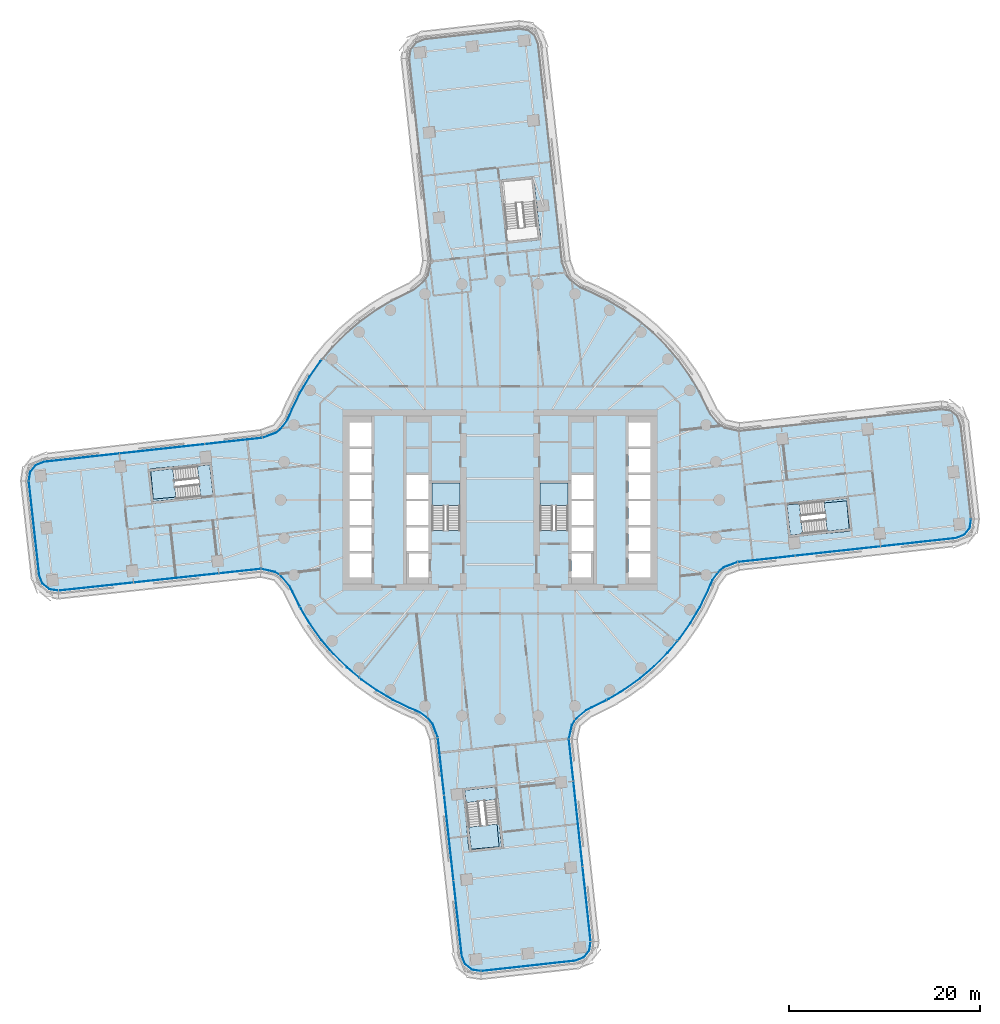
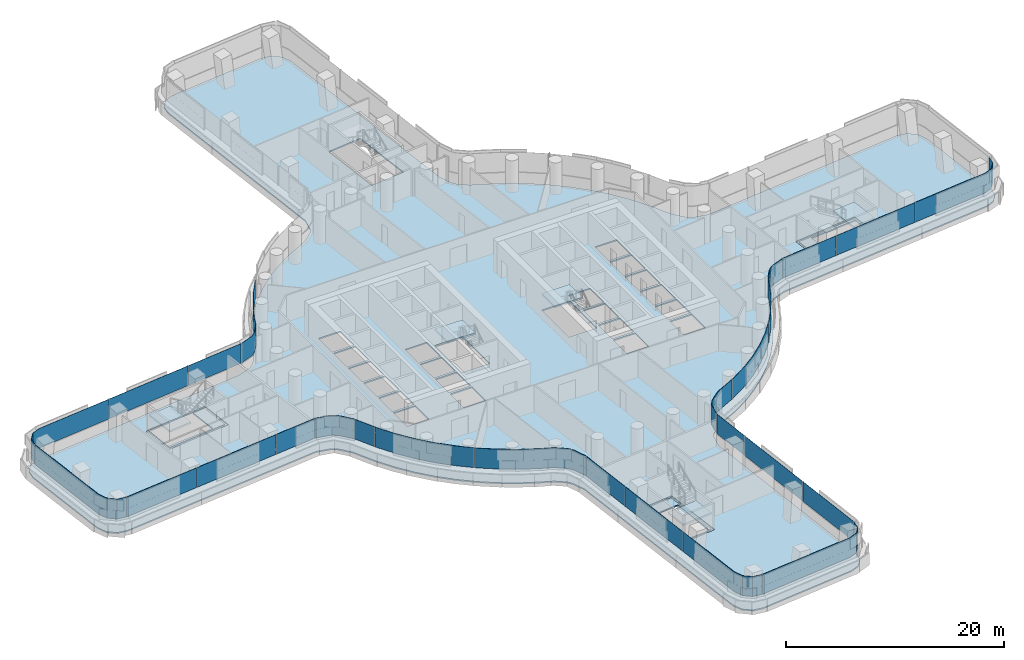
# One storey, part 17 of 31: 24 plates, 9 slabs, 15 elements without a shape of their own.
"""IFC4 building model written with IfcOpenShell, lengths in metres."""

from ifc_helpers import new_model, si_unit, direction, frame, origin, place, context, subcontext, project, spatial, polyline, outline, extrude, material, layer, layer_set, type_object, element, aggregate, save


model = new_model("IFC4")

# Units and contexts
model_context = context("Model", 3, precision=1e-05, world=origin(), true_north=direction((0.0, 1.0)))
body_context = subcontext(model_context, "Body", "Model", "MODEL_VIEW")
ifc_project = project(units=[si_unit("LENGTHUNIT", "METRE"), si_unit("AREAUNIT", "SQUARE_METRE"), si_unit("VOLUMEUNIT", "CUBIC_METRE"), si_unit("PLANEANGLEUNIT", "RADIAN"), si_unit("MASSUNIT", "GRAM", prefix="KILO")], contexts=[model_context])

# Site, building, storey
site_placement = place(None, origin())
site = spatial("IfcSite", under=ifc_project, at=site_placement, CompositionType="ELEMENT")
building_placement = place(site_placement, origin())
building = spatial("IfcBuilding", under=site, at=building_placement, Name="Tamarind Cross Interchange Tower", CompositionType="ELEMENT")
storey_placement = place(building_placement, frame((0.0, 0.0, 56.5)))
storey = spatial("IfcBuildingStorey", under=building, at=storey_placement, Name="L12", CompositionType="ELEMENT", Elevation=56.5)

# Slabs
ifc_material_1 = material(Name="Concrete C35", Category="concrete")
ifc_layer_1 = layer(ifc_material_1, 0.139892578125)
ifc_layer_set_1 = layer_set([ifc_layer_1], Name="Concrete C35")
slab_type_1 = type_object("IfcSlabType", Name="Composite slab 140 Concrete C35", PredefinedType="FLOOR", material=ifc_layer_set_1)
slab_1_placement = place(storey_placement, frame((0.0, 0.0, -0.139892578125)))
element("IfcSlab", 1, at=slab_1_placement, inside=storey, type_object=slab_type_1, Name="Floor slab L12", PredefinedType="FLOOR", context=body_context, shape_type="SweptSolid", body=[
    extrude(outline(polyline([(23.60009765625, -7.22900390625), (24.97900390625, -6.71484375), (47.85302734375, -4.2021484375), (48.81787109375, -3.82666015625), (49.465576171875, -3.01904296875), (49.622802734375, -1.99560546875), (48.53076171875, 7.944580078125), (48.1552734375, 8.9091796875), (47.34765625, 9.556884765625), (46.32421875, 9.714111328125), (25.077880859375, 7.43310546875), (23.67822265625, 7.74267578125), (23.143798828125, 8.066650390625), (22.22119140625, 9.163818359375), (21.93310546875, 9.7333984375), (21.054443359375, 11.511474609375), (20.031982421875, 13.2109375), (18.87255859375, 14.820068359375), (17.584228515625, 16.327880859375), (16.17578125, 17.72412109375), (14.656982421875, 18.99951171875), (13.0380859375, 20.14501953125), (11.329833984375, 21.15283203125), (9.54443359375, 22.01611328125), (8.51220703125, 22.458251953125), (7.550048828125, 23.18115234375), (7.22900390625, 23.60009765625), (6.71484375, 24.97900390625), (4.2021484375, 47.85302734375), (3.82666015625, 48.81787109375), (3.01904296875, 49.465576171875), (1.99560546875, 49.622802734375), (-7.944580078125, 48.53076171875), (-8.9091796875, 48.1552734375), (-9.556884765625, 47.34765625), (-9.714111328125, 46.32421875), (-7.43310546875, 25.077880859375), (-7.74267578125, 23.67822265625), (-8.066650390625, 23.143798828125), (-9.163818359375, 22.22119140625), (-9.7333984375, 21.93310546875), (-11.511474609375, 21.054443359375), (-13.2109375, 20.031982421875), (-14.820068359375, 18.87255859375), (-16.327880859375, 17.584228515625), (-17.72412109375, 16.17578125), (-18.99951171875, 14.656982421875), (-20.14501953125, 13.0380859375), (-21.15283203125, 11.329833984375), (-22.01611328125, 9.54443359375), (-22.458251953125, 8.51220703125), (-23.18115234375, 7.550048828125), (-23.60009765625, 7.22900390625), (-24.97900390625, 6.71484375), (-47.85302734375, 4.2021484375), (-48.81787109375, 3.82666015625), (-49.465576171875, 3.01904296875), (-49.622802734375, 1.99560546875), (-48.53076171875, -7.944580078125), (-48.1552734375, -8.9091796875), (-47.34765625, -9.556884765625), (-46.32421875, -9.714111328125), (-25.077880859375, -7.43310546875), (-23.67822265625, -7.74267578125), (-23.143798828125, -8.066650390625), (-22.22119140625, -9.163818359375), (-21.93310546875, -9.7333984375), (-21.054443359375, -11.511474609375), (-20.031982421875, -13.2109375), (-18.87255859375, -14.820068359375), (-17.584228515625, -16.327880859375), (-16.17578125, -17.72412109375), (-14.656982421875, -18.99951171875), (-13.0380859375, -20.14501953125), (-11.329833984375, -21.15283203125), (-9.54443359375, -22.01611328125), (-8.51220703125, -22.458251953125), (-7.550048828125, -23.18115234375), (-7.22900390625, -23.60009765625), (-6.71484375, -24.97900390625), (-4.2021484375, -47.85302734375), (-3.82666015625, -48.81787109375), (-3.01904296875, -49.465576171875), (-1.99560546875, -49.622802734375), (7.944580078125, -48.53076171875), (8.9091796875, -48.1552734375), (9.556884765625, -47.34765625), (9.714111328125, -46.32421875), (7.43310546875, -25.077880859375), (7.74267578125, -23.67822265625), (8.066650390625, -23.143798828125), (9.163818359375, -22.22119140625), (9.7333984375, -21.93310546875), (11.511474609375, -21.054443359375), (13.2109375, -20.031982421875), (14.820068359375, -18.87255859375), (16.327880859375, -17.584228515625), (17.72412109375, -16.17578125), (18.99951171875, -14.656982421875), (20.14501953125, -13.0380859375), (21.15283203125, -11.329833984375), (22.01611328125, -9.54443359375), (22.458251953125, -8.51220703125), (23.18115234375, -7.550048828125), (23.60009765625, -7.22900390625)]), holes=[polyline([(-13.5, -8.125), (-15.800048828125, -8.125), (-15.800048828125, -5.625), (-13.5, -5.625), (-13.5, -8.125)]), polyline([(-13.5, -5.375), (-15.800048828125, -5.375), (-15.800048828125, -2.875), (-13.5, -2.875), (-13.5, -5.375)]), polyline([(-7.5, -5.375), (-9.800048828125, -5.375), (-9.800048828125, -2.875), (-7.5, -2.875), (-7.5, -5.375)]), polyline([(-15.800048828125, -2.625), (-15.800048828125, -0.125), (-13.5, -0.125), (-13.5, -2.625), (-15.800048828125, -2.625)]), polyline([(-9.800048828125, -2.625), (-9.800048828125, -0.125), (-7.5, -0.125), (-7.5, -2.625), (-9.800048828125, -2.625)]), polyline([(-29.884521484375, 0.341064453125), (-36.544189453125, -0.390380859375), (-36.566162109375, -0.191650390625), (-36.91552734375, 2.9892578125), (-36.9375, 3.18798828125), (-36.654052734375, 3.218994140625), (-36.659423828125, 3.27880859375), (-33.38330078125, 3.578369140625), (-30.277587890625, 3.919677734375), (-30.255615234375, 3.720703125), (-29.90625, 0.539794921875), (-29.884521484375, 0.341064453125)]), polyline([(-13.5, 0.125), (-15.800048828125, 0.125), (-15.800048828125, 2.625), (-13.5, 2.625), (-13.5, 0.125)]), polyline([(-7.5, 0.125), (-9.800048828125, 0.125), (-9.800048828125, 2.625), (-7.5, 2.625), (-7.5, 0.125)]), polyline([(-13.5, 2.875), (-15.800048828125, 2.875), (-15.800048828125, 5.375), (-13.5, 5.375), (-13.5, 2.875)]), polyline([(-15.800048828125, 5.625), (-15.800048828125, 8.125), (-13.5, 8.125), (-13.5, 5.625), (-15.800048828125, 5.625)]), polyline([(-3.578369140625, -33.38330078125), (-3.919677734375, -30.277587890625), (-3.720703125, -30.255615234375), (-0.539794921875, -29.90625), (-0.341064453125, -29.884521484375), (0.390380859375, -36.544189453125), (0.191650390625, -36.566162109375), (-2.9892578125, -36.91552734375), (-3.18798828125, -36.9375), (-3.218994140625, -36.654052734375), (-3.27880859375, -36.659423828125), (-3.578369140625, -33.38330078125)]), polyline([(-9.800048828125, -8.125), (-9.800048828125, -5.625), (-7.5, -5.625), (-7.5, -8.125), (-9.800048828125, -8.125)]), polyline([(9.800048828125, -2.875), (9.800048828125, -5.375), (7.5, -5.375), (7.5, -2.875), (9.800048828125, -2.875)]), polyline([(-4.199951171875, 1.800048828125), (-4.199951171875, -3.18798828125), (-7.14990234375, -3.18798828125), (-7.14990234375, 1.800048828125), (-4.199951171875, 1.800048828125)]), polyline([(7.14990234375, 1.800048828125), (7.14990234375, -3.18798828125), (4.199951171875, -3.18798828125), (4.199951171875, 1.800048828125), (7.14990234375, 1.800048828125)]), polyline([(-0.06298828125, 33.562255859375), (0.135986328125, 33.583984375), (3.31689453125, 33.93359375), (3.515625, 33.955322265625), (3.546875, 33.67138671875), (3.552001953125, 33.671875), (3.578369140625, 33.383544921875), (4.247314453125, 27.29541015625), (4.04833984375, 27.273681640625), (0.867431640625, 26.92431640625), (0.668701171875, 26.90234375), (-0.06298828125, 33.562255859375)]), polyline([(7.5, -5.625), (9.800048828125, -5.625), (9.800048828125, -8.125), (7.5, -8.125), (7.5, -5.625)]), polyline([(15.800048828125, -5.625), (15.800048828125, -8.125), (13.5, -8.125), (13.5, -5.625), (15.800048828125, -5.625)]), polyline([(15.800048828125, -2.875), (15.800048828125, -5.375), (13.5, -5.375), (13.5, -2.875), (15.800048828125, -2.875)]), polyline([(29.884521484375, -0.341064453125), (36.544189453125, 0.390380859375), (36.566162109375, 0.191650390625), (36.91552734375, -2.9892578125), (36.9375, -3.18798828125), (36.654052734375, -3.218994140625), (36.659423828125, -3.27880859375), (33.38330078125, -3.578369140625), (30.277587890625, -3.919677734375), (30.255615234375, -3.720703125), (29.90625, -0.539794921875), (29.884521484375, -0.341064453125)]), polyline([(9.800048828125, -0.125), (9.800048828125, -2.625), (7.5, -2.625), (7.5, -0.125), (9.800048828125, -0.125)]), polyline([(13.5, -0.125), (15.800048828125, -0.125), (15.800048828125, -2.625), (13.5, -2.625), (13.5, -0.125)]), polyline([(9.800048828125, 2.625), (9.800048828125, 0.125), (7.5, 0.125), (7.5, 2.625), (9.800048828125, 2.625)]), polyline([(13.5, 2.625), (15.800048828125, 2.625), (15.800048828125, 0.125), (13.5, 0.125), (13.5, 2.625)]), polyline([(15.800048828125, 5.375), (15.800048828125, 2.875), (13.5, 2.875), (13.5, 5.375), (15.800048828125, 5.375)]), polyline([(15.800048828125, 8.125), (15.800048828125, 5.625), (13.5, 5.625), (13.5, 8.125), (15.800048828125, 8.125)])]), origin(), (0.0, 0.0, 1.0), 0.139892578125),
])
slab_2_placement = place(storey_placement, frame((0.0, 0.0, -0.139892578125)))
element("IfcSlab", 2, at=slab_2_placement, inside=storey, type_object=slab_type_1, Name="Floor slab L12", PredefinedType="FLOOR", context=body_context, shape_type="SweptSolid", body=[
    extrude(outline(polyline([(-30.10498046875, 0.51806640625), (-30.45458984375, 3.698974609375), (-31.6767578125, 3.564697265625), (-31.758544921875, 3.5556640625), (-31.427734375, 0.5439453125), (-36.3681640625, 0.09228515625), (-36.6357421875, 3.02001953125), (-36.716796875, 3.010986328125), (-36.367431640625, -0.169921875), (-30.10498046875, 0.51806640625)])), origin(), (0.0, 0.0, 1.0), 0.139892578125),
])
slab_3_placement = place(storey_placement, frame((0.0, 0.0, -0.139892578125)))
element("IfcSlab", 3, at=slab_3_placement, inside=storey, type_object=slab_type_1, Name="Floor slab L12", PredefinedType="FLOOR", context=body_context, shape_type="SweptSolid", body=[
    extrude(outline(polyline([(-3.010986328125, -36.716796875), (0.169921875, -36.367431640625), (-0.51806640625, -30.10498046875), (-3.698974609375, -30.45458984375), (-3.564697265625, -31.6767578125), (-3.5556640625, -31.758544921875), (-0.5439453125, -31.427734375), (-0.09228515625, -36.3681640625), (-3.02001953125, -36.6357421875), (-3.010986328125, -36.716796875)])), origin(), (0.0, 0.0, 1.0), 0.139892578125),
])
slab_4_placement = place(storey_placement, frame((0.0, 0.0, -0.139892578125)))
element("IfcSlab", 4, at=slab_4_placement, inside=storey, type_object=slab_type_1, Name="Floor slab L12", PredefinedType="FLOOR", context=body_context, shape_type="SweptSolid", body=[
    extrude(outline(polyline([(36.716796875, -3.010986328125), (36.367431640625, 0.169921875), (30.10498046875, -0.51806640625), (30.45458984375, -3.698974609375), (31.6767578125, -3.564697265625), (31.758544921875, -3.5556640625), (31.427734375, -0.5439453125), (36.3681640625, -0.09228515625), (36.6357421875, -3.02001953125), (36.716796875, -3.010986328125)])), origin(), (0.0, 0.0, 1.0), 0.139892578125),
])

# Stair, slab
ifc_material_2 = material(Name="Exit stair")
stair_type = type_object("IfcStairType", Name="Exit stair", PredefinedType="HALF_TURN_STAIR", material=ifc_material_2)
stair_1_placement = place(storey_placement, origin())
stair_1 = element("IfcStair", 5, at=stair_1_placement, inside=storey, type_object=stair_type, Name="L12 exit stair ST1", PredefinedType="HALF_TURN_STAIR")
ifc_material_3 = material(Name="Concrete C40", Category="concrete")
ifc_layer_2 = layer(ifc_material_3, 0.199951171875)
ifc_layer_set_2 = layer_set([ifc_layer_2], Name="Concrete C40")
slab_type_2 = type_object("IfcSlabType", Name="Stair landing", PredefinedType="LANDING", material=ifc_layer_set_2)
slab_5_placement = place(storey_placement, frame((0.0, 0.0, 1.675048828125)))
slab_5 = element("IfcSlab", 6, at=slab_5_placement, type_object=slab_type_2, Name="ST1 landing 1", PredefinedType="LANDING", context=body_context, shape_type="SweptSolid", body=[
    extrude(outline(polyline([(-4.199951171875, -0.60009765625), (-4.199951171875, 1.800048828125), (-7.14990234375, 1.800048828125), (-7.14990234375, -0.60009765625), (-4.199951171875, -0.60009765625)])), origin(), (0.0, 0.0, 1.0), 0.199951171875),
])
aggregate(stair_1, [slab_5])

stair_2_placement = place(storey_placement, origin())
stair_2 = element("IfcStair", 7, at=stair_2_placement, inside=storey, type_object=stair_type, Name="L12 exit stair ST2", PredefinedType="HALF_TURN_STAIR")
slab_6_placement = place(storey_placement, frame((0.0, 0.0, 1.675048828125)))
slab_6 = element("IfcSlab", 8, at=slab_6_placement, type_object=slab_type_2, Name="ST2 landing 1", PredefinedType="LANDING", context=body_context, shape_type="SweptSolid", body=[
    extrude(outline(polyline([(7.14990234375, -0.60009765625), (7.14990234375, 1.800048828125), (4.199951171875, 1.800048828125), (4.199951171875, -0.60009765625), (7.14990234375, -0.60009765625)])), origin(), (0.0, 0.0, 1.0), 0.199951171875),
])
aggregate(stair_2, [slab_6])

stair_3_placement = place(storey_placement, origin())
stair_3 = element("IfcStair", 9, at=stair_3_placement, inside=storey, type_object=stair_type, Name="L12 exit stair ST3", PredefinedType="HALF_TURN_STAIR")
slab_7_placement = place(storey_placement, frame((0.0, 0.0, 1.675048828125)))
slab_7 = element("IfcSlab", 10, at=slab_7_placement, type_object=slab_type_2, Name="ST3 landing 1", PredefinedType="LANDING", context=body_context, shape_type="SweptSolid", body=[
    extrude(outline(polyline([(34.319091796875, -3.2744140625), (36.716796875, -3.010986328125), (36.367431640625, 0.169921875), (33.9697265625, -0.093505859375), (34.319091796875, -3.2744140625)])), origin(), (0.0, 0.0, 1.0), 0.199951171875),
])
aggregate(stair_3, [slab_7])

stair_4_placement = place(storey_placement, origin())
stair_4 = element("IfcStair", 11, at=stair_4_placement, inside=storey, type_object=stair_type, Name="L12 exit stair ST5", PredefinedType="HALF_TURN_STAIR")
slab_8_placement = place(storey_placement, frame((0.0, 0.0, 1.675048828125)))
slab_8 = element("IfcSlab", 12, at=slab_8_placement, type_object=slab_type_2, Name="ST5 landing 1", PredefinedType="LANDING", context=body_context, shape_type="SweptSolid", body=[
    extrude(outline(polyline([(-34.319091796875, 3.2744140625), (-36.716796875, 3.010986328125), (-36.367431640625, -0.169921875), (-33.9697265625, 0.093505859375), (-34.319091796875, 3.2744140625)])), origin(), (0.0, 0.0, 1.0), 0.199951171875),
])
aggregate(stair_4, [slab_8])

stair_5_placement = place(storey_placement, origin())
stair_5 = element("IfcStair", 13, at=stair_5_placement, inside=storey, type_object=stair_type, Name="L12 exit stair ST6", PredefinedType="HALF_TURN_STAIR")
slab_9_placement = place(storey_placement, frame((0.0, 0.0, 1.675048828125)))
slab_9 = element("IfcSlab", 14, at=slab_9_placement, type_object=slab_type_2, Name="ST6 landing 1", PredefinedType="LANDING", context=body_context, shape_type="SweptSolid", body=[
    extrude(outline(polyline([(-3.2744140625, -34.319091796875), (-3.010986328125, -36.716796875), (0.169921875, -36.367431640625), (-0.093505859375, -33.9697265625), (-3.2744140625, -34.319091796875)])), origin(), (0.0, 0.0, 1.0), 0.199951171875),
])
aggregate(stair_5, [slab_9])

# Curtain wall, plate
ifc_material_4 = material(Name="Aluminium 6063-T6", Category="aluminium")
ifc_layer_3 = layer(ifc_material_4, 0.159912109375)
ifc_layer_set_3 = layer_set([ifc_layer_3], Name="Aluminium 6063-T6")
curtain_wall_type = type_object("IfcCurtainWallType", Name="Office curtain wall, 9.0 m bays", PredefinedType="NOTDEFINED", material=ifc_layer_set_3)
curtain_wall_1_placement = place(storey_placement, origin())
curtain_wall_1 = element("IfcCurtainWall", 15, at=curtain_wall_1_placement, inside=storey, type_object=curtain_wall_type, Name="CWS-L12-06", PredefinedType="NOTDEFINED")
ifc_material_5 = material(Name="Laminated low-e glass 8+1.52+8", Category="glass")
ifc_layer_4 = layer(ifc_material_5, 0.028076171875)
ifc_layer_set_4 = layer_set([ifc_layer_4], Name="Laminated low-e glass 8+1.52+8")
plate_type = type_object("IfcPlateType", Name="Vision panel CW1", PredefinedType="CURTAIN_PANEL", material=ifc_layer_set_4)
plate_1_placement = place(storey_placement, frame((0.0, 0.0, 1.39990234375)))
plate_1 = element("IfcPlate", 16, at=plate_1_placement, type_object=plate_type, Name="CWP-L12-06-02", PredefinedType="CURTAIN_PANEL", context=body_context, shape_type="SweptSolid", body=[
    extrude(outline(polyline([(-18.672119140625, 14.7138671875), (-18.829833984375, 14.526123046875), (-19.965087890625, 12.921630859375), (-20.9638671875, 11.228759765625), (-21.8212890625, 9.45556640625), (-22.271728515625, 8.404296875), (-23.02783203125, 7.398193359375), (-23.495361328125, 7.03955078125), (-24.8994140625, 6.51611328125), (-24.909423828125, 6.54248046875), (-23.509033203125, 7.064453125), (-23.0478515625, 7.41796875), (-22.296142578125, 8.41845703125), (-21.846923828125, 9.46728515625), (-20.98876953125, 11.241943359375), (-19.988525390625, 12.936767578125), (-18.85205078125, 14.543212890625), (-18.693603515625, 14.73193359375), (-18.672119140625, 14.7138671875)])), origin(), (0.0, 0.0, 1.0), 2.210205078125),
])
aggregate(curtain_wall_1, [plate_1])

# Curtain wall, plates
curtain_wall_2_placement = place(storey_placement, origin())
curtain_wall_2 = element("IfcCurtainWall", 17, at=curtain_wall_2_placement, inside=storey, type_object=curtain_wall_type, Name="CWS-L12-07", PredefinedType="NOTDEFINED")
plate_2_placement = place(storey_placement, frame((0.0, 0.0, 1.39990234375)))
plate_2 = element("IfcPlate", 18, at=plate_2_placement, type_object=plate_type, Name="CWP-L12-07-00", PredefinedType="CURTAIN_PANEL", context=body_context, shape_type="SweptSolid", body=[
    extrude(outline(polyline([(-24.9609375, 6.50146484375), (-30.936279296875, 5.84521484375), (-30.939453125, 5.873046875), (-24.9638671875, 6.529296875), (-24.9609375, 6.50146484375)])), origin(), (0.0, 0.0, 1.0), 2.210205078125),
])
plate_3_placement = place(storey_placement, frame((0.0, 0.0, 1.39990234375)))
plate_3 = element("IfcPlate", 19, at=plate_3_placement, type_object=plate_type, Name="CWP-L12-07-01", PredefinedType="CURTAIN_PANEL", context=body_context, shape_type="SweptSolid", body=[
    extrude(outline(polyline([(-30.99609375, 5.838623046875), (-39.882080078125, 4.862548828125), (-39.885009765625, 4.890380859375), (-30.9990234375, 5.866455078125), (-30.99609375, 5.838623046875)])), origin(), (0.0, 0.0, 1.0), 2.210205078125),
])
plate_4_placement = place(storey_placement, frame((0.0, 0.0, 1.39990234375)))
plate_4 = element("IfcPlate", 20, at=plate_4_placement, type_object=plate_type, Name="CWP-L12-07-02", PredefinedType="CURTAIN_PANEL", context=body_context, shape_type="SweptSolid", body=[
    extrude(outline(polyline([(-39.941650390625, 4.85595703125), (-47.801513671875, 3.992431640625), (-48.686767578125, 3.64794921875), (-49.2626953125, 2.929931640625), (-49.402587890625, 2.01904296875), (-49.43017578125, 2.023193359375), (-49.289306640625, 2.94140625), (-48.703857421875, 3.67138671875), (-47.808349609375, 4.02001953125), (-39.94482421875, 4.8837890625), (-39.941650390625, 4.85595703125)])), origin(), (0.0, 0.0, 1.0), 2.210205078125),
])
aggregate(curtain_wall_2, [plate_2, plate_3, plate_4])

# Curtain wall, plate
curtain_wall_3_placement = place(storey_placement, origin())
curtain_wall_3 = element("IfcCurtainWall", 21, at=curtain_wall_3_placement, inside=storey, type_object=curtain_wall_type, Name="CWS-L12-08", PredefinedType="NOTDEFINED")
plate_5_placement = place(storey_placement, frame((0.0, 0.0, 1.39990234375)))
plate_5 = element("IfcPlate", 22, at=plate_5_placement, type_object=plate_type, Name="CWP-L12-08-00", PredefinedType="CURTAIN_PANEL", context=body_context, shape_type="SweptSolid", body=[
    extrude(outline(polyline([(-49.40380859375, 1.963134765625), (-48.321044921875, -7.89306640625), (-47.9765625, -8.778076171875), (-47.25830078125, -9.354248046875), (-46.34716796875, -9.494140625), (-46.3515625, -9.521728515625), (-47.27001953125, -9.380615234375), (-48.0, -8.79541015625), (-48.3486328125, -7.89990234375), (-49.431640625, 1.9599609375), (-49.40380859375, 1.963134765625)])), origin(), (0.0, 0.0, 1.0), 2.210205078125),
])
aggregate(curtain_wall_3, [plate_5])

# Curtain wall, plates
curtain_wall_4_placement = place(storey_placement, origin())
curtain_wall_4 = element("IfcCurtainWall", 23, at=curtain_wall_4_placement, inside=storey, type_object=curtain_wall_type, Name="CWS-L12-09", PredefinedType="NOTDEFINED")
plate_6_placement = place(storey_placement, frame((0.0, 0.0, 1.39990234375)))
plate_6 = element("IfcPlate", 24, at=plate_6_placement, type_object=plate_type, Name="CWP-L12-09-00", PredefinedType="CURTAIN_PANEL", context=body_context, shape_type="SweptSolid", body=[
    extrude(outline(polyline([(-46.29150390625, -9.495361328125), (-38.454345703125, -8.654052734375), (-38.451416015625, -8.681884765625), (-46.288330078125, -9.523193359375), (-46.29150390625, -9.495361328125)])), origin(), (0.0, 0.0, 1.0), 2.210205078125),
])
plate_7_placement = place(storey_placement, frame((0.0, 0.0, 1.39990234375)))
plate_7 = element("IfcPlate", 25, at=plate_7_placement, type_object=plate_type, Name="CWP-L12-09-01", PredefinedType="CURTAIN_PANEL", context=body_context, shape_type="SweptSolid", body=[
    extrude(outline(polyline([(-38.394775390625, -8.647705078125), (-29.503173828125, -7.693115234375), (-29.5, -7.720947265625), (-38.391845703125, -8.675537109375), (-38.394775390625, -8.647705078125)])), origin(), (0.0, 0.0, 1.0), 2.210205078125),
])
plate_8_placement = place(storey_placement, frame((0.0, 0.0, 1.39990234375)))
plate_8 = element("IfcPlate", 26, at=plate_8_placement, type_object=plate_type, Name="CWP-L12-09-02", PredefinedType="CURTAIN_PANEL", context=body_context, shape_type="SweptSolid", body=[
    extrude(outline(polyline([(-29.443359375, -7.6865234375), (-25.09814453125, -7.22021484375), (-25.09521484375, -7.248046875), (-29.4404296875, -7.71435546875), (-29.443359375, -7.6865234375)])), origin(), (0.0, 0.0, 1.0), 2.210205078125),
])
aggregate(curtain_wall_4, [plate_6, plate_7, plate_8])

curtain_wall_5_placement = place(storey_placement, origin())
curtain_wall_5 = element("IfcCurtainWall", 27, at=curtain_wall_5_placement, inside=storey, type_object=curtain_wall_type, Name="CWS-L12-10", PredefinedType="NOTDEFINED")
plate_9_placement = place(storey_placement, frame((0.0, 0.0, 1.39990234375)))
plate_9 = element("IfcPlate", 28, at=plate_9_placement, type_object=plate_type, Name="CWP-L12-10-00", PredefinedType="CURTAIN_PANEL", context=body_context, shape_type="SweptSolid", body=[
    extrude(outline(polyline([(-25.034423828125, -7.2236328125), (-23.597412109375, -7.54150390625), (-23.002685546875, -7.90185546875), (-22.041259765625, -9.045166015625), (-21.74169921875, -9.637939453125), (-20.989501953125, -11.159912109375), (-21.0146484375, -11.17236328125), (-21.766845703125, -9.650390625), (-22.06494140625, -9.060791015625), (-23.02099609375, -7.92333984375), (-23.608154296875, -7.567626953125), (-25.04052734375, -7.2509765625), (-25.034423828125, -7.2236328125)])), origin(), (0.0, 0.0, 1.0), 2.210205078125),
])
plate_10_placement = place(storey_placement, frame((0.0, 0.0, 1.39990234375)))
plate_10 = element("IfcPlate", 29, at=plate_10_placement, type_object=plate_type, Name="CWP-L12-10-01", PredefinedType="CURTAIN_PANEL", context=body_context, shape_type="SweptSolid", body=[
    extrude(outline(polyline([(-20.962890625, -11.2138671875), (-20.866455078125, -11.40869140625), (-19.85302734375, -13.093017578125), (-18.7041015625, -14.687744140625), (-17.42724609375, -16.18212890625), (-16.031494140625, -17.56591796875), (-14.759765625, -18.633544921875), (-14.77783203125, -18.655029296875), (-16.05029296875, -17.586669921875), (-17.44775390625, -16.201171875), (-18.72607421875, -14.705078125), (-19.87646484375, -13.1083984375), (-20.89111328125, -11.422119140625), (-20.988037109375, -11.22607421875), (-20.962890625, -11.2138671875)])), origin(), (0.0, 0.0, 1.0), 2.210205078125),
])
plate_11_placement = place(storey_placement, frame((0.0, 0.0, 1.39990234375)))
plate_11 = element("IfcPlate", 30, at=plate_11_placement, type_object=plate_type, Name="CWP-L12-10-02", PredefinedType="CURTAIN_PANEL", context=body_context, shape_type="SweptSolid", body=[
    extrude(outline(polyline([(-14.7138671875, -18.672119140625), (-14.526123046875, -18.829833984375), (-12.921630859375, -19.965087890625), (-11.228759765625, -20.9638671875), (-9.45556640625, -21.8212890625), (-8.404296875, -22.271728515625), (-7.398193359375, -23.02783203125), (-7.03955078125, -23.495361328125), (-6.51611328125, -24.8994140625), (-6.54248046875, -24.909423828125), (-7.064453125, -23.509033203125), (-7.41796875, -23.0478515625), (-8.41845703125, -22.296142578125), (-9.46728515625, -21.846923828125), (-11.241943359375, -20.98876953125), (-12.936767578125, -19.988525390625), (-14.543212890625, -18.85205078125), (-14.73193359375, -18.693603515625), (-14.7138671875, -18.672119140625)])), origin(), (0.0, 0.0, 1.0), 2.210205078125),
])
aggregate(curtain_wall_5, [plate_9, plate_10, plate_11])

curtain_wall_6_placement = place(storey_placement, origin())
curtain_wall_6 = element("IfcCurtainWall", 31, at=curtain_wall_6_placement, inside=storey, type_object=curtain_wall_type, Name="CWS-L12-11", PredefinedType="NOTDEFINED")
plate_12_placement = place(storey_placement, frame((0.0, 0.0, 1.39990234375)))
plate_12 = element("IfcPlate", 32, at=plate_12_placement, type_object=plate_type, Name="CWP-L12-11-00", PredefinedType="CURTAIN_PANEL", context=body_context, shape_type="SweptSolid", body=[
    extrude(outline(polyline([(-6.50146484375, -24.9609375), (-5.84521484375, -30.936279296875), (-5.873046875, -30.939453125), (-6.529296875, -24.9638671875), (-6.50146484375, -24.9609375)])), origin(), (0.0, 0.0, 1.0), 2.210205078125),
])
plate_13_placement = place(storey_placement, frame((0.0, 0.0, 1.39990234375)))
plate_13 = element("IfcPlate", 33, at=plate_13_placement, type_object=plate_type, Name="CWP-L12-11-01", PredefinedType="CURTAIN_PANEL", context=body_context, shape_type="SweptSolid", body=[
    extrude(outline(polyline([(-5.838623046875, -30.99609375), (-4.862548828125, -39.882080078125), (-4.890380859375, -39.885009765625), (-5.866455078125, -30.9990234375), (-5.838623046875, -30.99609375)])), origin(), (0.0, 0.0, 1.0), 2.210205078125),
])
plate_14_placement = place(storey_placement, frame((0.0, 0.0, 1.39990234375)))
plate_14 = element("IfcPlate", 34, at=plate_14_placement, type_object=plate_type, Name="CWP-L12-11-02", PredefinedType="CURTAIN_PANEL", context=body_context, shape_type="SweptSolid", body=[
    extrude(outline(polyline([(-4.85595703125, -39.941650390625), (-3.992431640625, -47.801513671875), (-3.64794921875, -48.686767578125), (-2.929931640625, -49.2626953125), (-2.01904296875, -49.402587890625), (-2.023193359375, -49.43017578125), (-2.94140625, -49.289306640625), (-3.67138671875, -48.703857421875), (-4.02001953125, -47.808349609375), (-4.8837890625, -39.94482421875), (-4.85595703125, -39.941650390625)])), origin(), (0.0, 0.0, 1.0), 2.210205078125),
])
aggregate(curtain_wall_6, [plate_12, plate_13, plate_14])

# Curtain wall, plate
curtain_wall_7_placement = place(storey_placement, origin())
curtain_wall_7 = element("IfcCurtainWall", 35, at=curtain_wall_7_placement, inside=storey, type_object=curtain_wall_type, Name="CWS-L12-12", PredefinedType="NOTDEFINED")
plate_15_placement = place(storey_placement, frame((0.0, 0.0, 1.39990234375)))
plate_15 = element("IfcPlate", 36, at=plate_15_placement, type_object=plate_type, Name="CWP-L12-12-00", PredefinedType="CURTAIN_PANEL", context=body_context, shape_type="SweptSolid", body=[
    extrude(outline(polyline([(-1.963134765625, -49.40380859375), (7.89306640625, -48.321044921875), (8.778076171875, -47.9765625), (9.354248046875, -47.25830078125), (9.494140625, -46.34716796875), (9.521728515625, -46.3515625), (9.380615234375, -47.27001953125), (8.79541015625, -48.0), (7.89990234375, -48.3486328125), (-1.9599609375, -49.431640625), (-1.963134765625, -49.40380859375)])), origin(), (0.0, 0.0, 1.0), 2.210205078125),
])
aggregate(curtain_wall_7, [plate_15])

# Curtain wall, plates
curtain_wall_8_placement = place(storey_placement, origin())
curtain_wall_8 = element("IfcCurtainWall", 37, at=curtain_wall_8_placement, inside=storey, type_object=curtain_wall_type, Name="CWS-L12-13", PredefinedType="NOTDEFINED")
plate_16_placement = place(storey_placement, frame((0.0, 0.0, 1.39990234375)))
plate_16 = element("IfcPlate", 38, at=plate_16_placement, type_object=plate_type, Name="CWP-L12-13-00", PredefinedType="CURTAIN_PANEL", context=body_context, shape_type="SweptSolid", body=[
    extrude(outline(polyline([(9.495361328125, -46.29150390625), (8.654052734375, -38.454345703125), (8.681884765625, -38.451416015625), (9.523193359375, -46.288330078125), (9.495361328125, -46.29150390625)])), origin(), (0.0, 0.0, 1.0), 2.210205078125),
])
plate_17_placement = place(storey_placement, frame((0.0, 0.0, 1.39990234375)))
plate_17 = element("IfcPlate", 39, at=plate_17_placement, type_object=plate_type, Name="CWP-L12-13-01", PredefinedType="CURTAIN_PANEL", context=body_context, shape_type="SweptSolid", body=[
    extrude(outline(polyline([(8.647705078125, -38.394775390625), (7.693115234375, -29.503173828125), (7.720947265625, -29.5), (8.675537109375, -38.391845703125), (8.647705078125, -38.394775390625)])), origin(), (0.0, 0.0, 1.0), 2.210205078125),
])
plate_18_placement = place(storey_placement, frame((0.0, 0.0, 1.39990234375)))
plate_18 = element("IfcPlate", 40, at=plate_18_placement, type_object=plate_type, Name="CWP-L12-13-02", PredefinedType="CURTAIN_PANEL", context=body_context, shape_type="SweptSolid", body=[
    extrude(outline(polyline([(7.6865234375, -29.443359375), (7.22021484375, -25.09814453125), (7.248046875, -25.09521484375), (7.71435546875, -29.4404296875), (7.6865234375, -29.443359375)])), origin(), (0.0, 0.0, 1.0), 2.210205078125),
])
aggregate(curtain_wall_8, [plate_16, plate_17, plate_18])

curtain_wall_9_placement = place(storey_placement, origin())
curtain_wall_9 = element("IfcCurtainWall", 41, at=curtain_wall_9_placement, inside=storey, type_object=curtain_wall_type, Name="CWS-L12-14", PredefinedType="NOTDEFINED")
plate_19_placement = place(storey_placement, frame((0.0, 0.0, 1.39990234375)))
plate_19 = element("IfcPlate", 42, at=plate_19_placement, type_object=plate_type, Name="CWP-L12-14-00", PredefinedType="CURTAIN_PANEL", context=body_context, shape_type="SweptSolid", body=[
    extrude(outline(polyline([(7.2236328125, -25.034423828125), (7.54150390625, -23.597412109375), (7.90185546875, -23.002685546875), (9.045166015625, -22.041259765625), (9.637939453125, -21.74169921875), (11.159912109375, -20.989501953125), (11.17236328125, -21.0146484375), (9.650390625, -21.766845703125), (9.060791015625, -22.06494140625), (7.92333984375, -23.02099609375), (7.567626953125, -23.608154296875), (7.2509765625, -25.04052734375), (7.2236328125, -25.034423828125)])), origin(), (0.0, 0.0, 1.0), 2.210205078125),
])
plate_20_placement = place(storey_placement, frame((0.0, 0.0, 1.39990234375)))
plate_20 = element("IfcPlate", 43, at=plate_20_placement, type_object=plate_type, Name="CWP-L12-14-01", PredefinedType="CURTAIN_PANEL", context=body_context, shape_type="SweptSolid", body=[
    extrude(outline(polyline([(11.2138671875, -20.962890625), (11.40869140625, -20.866455078125), (13.093017578125, -19.85302734375), (14.687744140625, -18.7041015625), (16.18212890625, -17.42724609375), (17.56591796875, -16.031494140625), (18.633544921875, -14.759765625), (18.655029296875, -14.77783203125), (17.586669921875, -16.05029296875), (16.201171875, -17.44775390625), (14.705078125, -18.72607421875), (13.1083984375, -19.87646484375), (11.422119140625, -20.89111328125), (11.22607421875, -20.988037109375), (11.2138671875, -20.962890625)])), origin(), (0.0, 0.0, 1.0), 2.210205078125),
])
plate_21_placement = place(storey_placement, frame((0.0, 0.0, 1.39990234375)))
plate_21 = element("IfcPlate", 44, at=plate_21_placement, type_object=plate_type, Name="CWP-L12-14-02", PredefinedType="CURTAIN_PANEL", context=body_context, shape_type="SweptSolid", body=[
    extrude(outline(polyline([(18.672119140625, -14.7138671875), (18.829833984375, -14.526123046875), (19.965087890625, -12.921630859375), (20.9638671875, -11.228759765625), (21.8212890625, -9.45556640625), (22.271728515625, -8.404296875), (23.02783203125, -7.398193359375), (23.495361328125, -7.03955078125), (24.8994140625, -6.51611328125), (24.909423828125, -6.54248046875), (23.509033203125, -7.064453125), (23.0478515625, -7.41796875), (22.296142578125, -8.41845703125), (21.846923828125, -9.46728515625), (20.98876953125, -11.241943359375), (19.988525390625, -12.936767578125), (18.85205078125, -14.543212890625), (18.693603515625, -14.73193359375), (18.672119140625, -14.7138671875)])), origin(), (0.0, 0.0, 1.0), 2.210205078125),
])
aggregate(curtain_wall_9, [plate_19, plate_20, plate_21])

curtain_wall_10_placement = place(storey_placement, origin())
curtain_wall_10 = element("IfcCurtainWall", 45, at=curtain_wall_10_placement, inside=storey, type_object=curtain_wall_type, Name="CWS-L12-15", PredefinedType="NOTDEFINED")
plate_22_placement = place(storey_placement, frame((0.0, 0.0, 1.39990234375)))
plate_22 = element("IfcPlate", 46, at=plate_22_placement, type_object=plate_type, Name="CWP-L12-15-00", PredefinedType="CURTAIN_PANEL", context=body_context, shape_type="SweptSolid", body=[
    extrude(outline(polyline([(24.9609375, -6.50146484375), (30.936279296875, -5.84521484375), (30.939453125, -5.873046875), (24.9638671875, -6.529296875), (24.9609375, -6.50146484375)])), origin(), (0.0, 0.0, 1.0), 2.210205078125),
])
plate_23_placement = place(storey_placement, frame((0.0, 0.0, 1.39990234375)))
plate_23 = element("IfcPlate", 47, at=plate_23_placement, type_object=plate_type, Name="CWP-L12-15-01", PredefinedType="CURTAIN_PANEL", context=body_context, shape_type="SweptSolid", body=[
    extrude(outline(polyline([(30.99609375, -5.838623046875), (39.882080078125, -4.862548828125), (39.885009765625, -4.890380859375), (30.9990234375, -5.866455078125), (30.99609375, -5.838623046875)])), origin(), (0.0, 0.0, 1.0), 2.210205078125),
])
plate_24_placement = place(storey_placement, frame((0.0, 0.0, 1.39990234375)))
plate_24 = element("IfcPlate", 48, at=plate_24_placement, type_object=plate_type, Name="CWP-L12-15-02", PredefinedType="CURTAIN_PANEL", context=body_context, shape_type="SweptSolid", body=[
    extrude(outline(polyline([(39.941650390625, -4.85595703125), (47.801513671875, -3.992431640625), (48.686767578125, -3.64794921875), (49.2626953125, -2.929931640625), (49.402587890625, -2.01904296875), (49.43017578125, -2.023193359375), (49.289306640625, -2.94140625), (48.703857421875, -3.67138671875), (47.808349609375, -4.02001953125), (39.94482421875, -4.8837890625), (39.941650390625, -4.85595703125)])), origin(), (0.0, 0.0, 1.0), 2.210205078125),
])
aggregate(curtain_wall_10, [plate_22, plate_23, plate_24])

save(model, "model.ifc")
